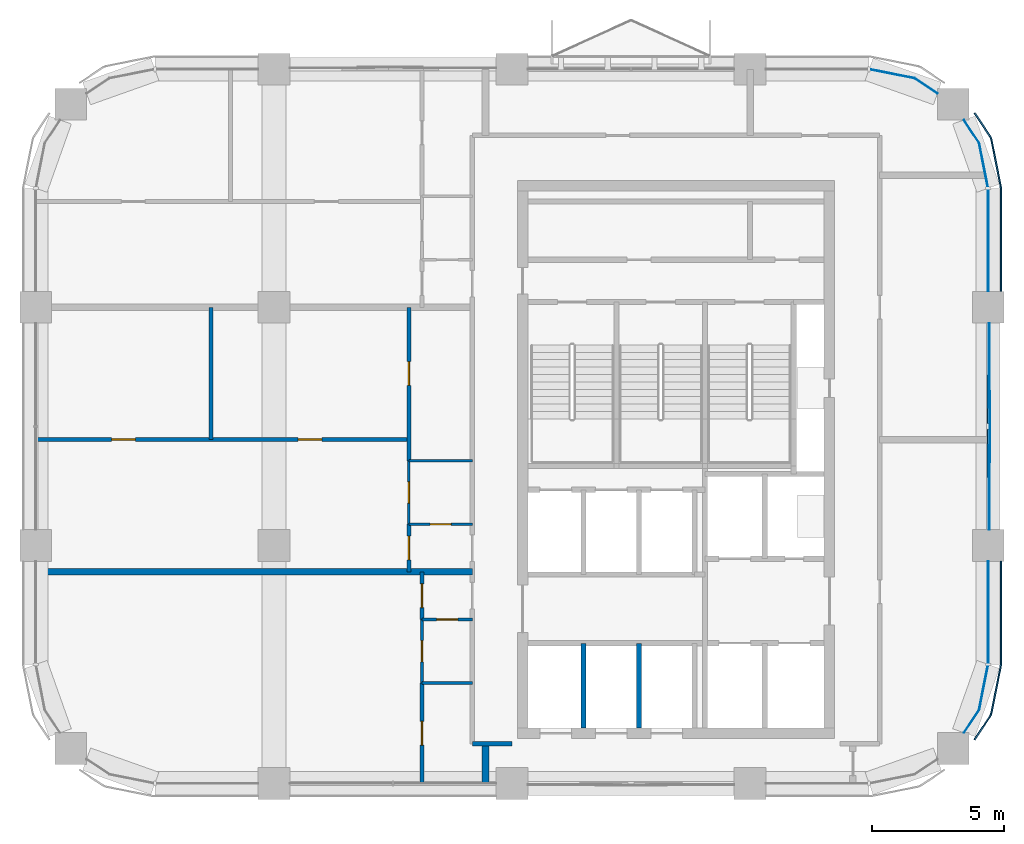
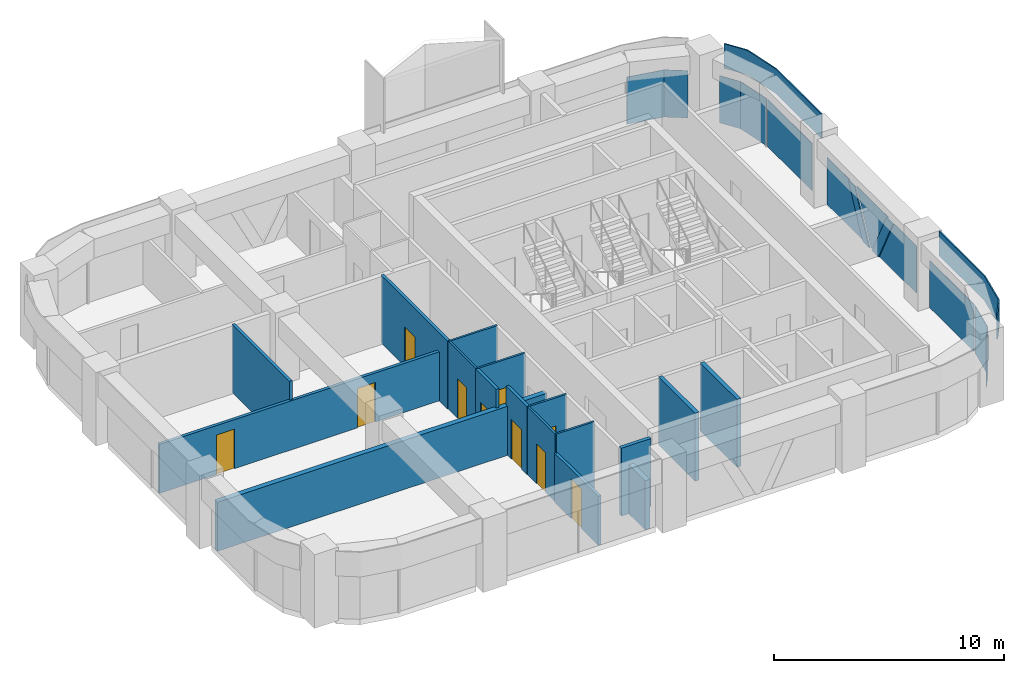
# One storey, part 6 of 10: 17 walls, 12 plates, 10 doors, 10 openings, 4 elements without a shape of their own.
"""IFC4 building model written with IfcOpenShell, lengths in metres."""

from ifc_helpers import new_model, si_unit, direction, frame, frame_2d, origin, origin_2d, place, context, subcontext, project, spatial, polyline, rectangle, outline, extrude, material, layer, layer_set, type_object, element, fill, aggregate, save


model = new_model("IFC4")

# Units and contexts
model_context = context("Model", 3, precision=1e-05, world=origin(), true_north=direction((0.0, 1.0)))
body_context = subcontext(model_context, "Body", "Model", "MODEL_VIEW")
ifc_project = project(units=[si_unit("LENGTHUNIT", "METRE"), si_unit("AREAUNIT", "SQUARE_METRE"), si_unit("VOLUMEUNIT", "CUBIC_METRE"), si_unit("PLANEANGLEUNIT", "RADIAN"), si_unit("MASSUNIT", "GRAM", prefix="KILO")], contexts=[model_context])

# Site, building, storey
site_placement = place(None, origin())
site = spatial("IfcSite", under=ifc_project, at=site_placement, CompositionType="ELEMENT")
building_placement = place(site_placement, origin())
building = spatial("IfcBuilding", under=site, at=building_placement, Name="Tessera Arch", CompositionType="ELEMENT")
storey_placement = place(building_placement, frame((0.0, 0.0, 242.300048828125)))
storey = spatial("IfcBuildingStorey", under=building, at=storey_placement, Name="L58", CompositionType="ELEMENT", Elevation=242.300048828125)

# Curtain wall, plates
ifc_material_1 = material(Name="CW2 curtain wall")
curtain_wall_type_1 = type_object("IfcCurtainWallType", Name="CW2 curtain wall", PredefinedType="NOTDEFINED", material=ifc_material_1)
curtain_wall_1_placement = place(storey_placement, origin())
curtain_wall_1 = element("IfcCurtainWall", 1, at=curtain_wall_1_placement, inside=storey, type_object=curtain_wall_type_1, Name="CW2 curtain wall E54.27/1 L58", PredefinedType="NOTDEFINED")
ifc_material_2 = material(Name="Clear low-e glass", Category="glass")
ifc_material_3 = material(Name="Clear low-e glass", Category="glass")
ifc_layer_1 = layer(ifc_material_3, 0.028076171875)
ifc_layer_set_1 = layer_set([ifc_layer_1], Name="CW2 glass panel")
plate_type_1 = type_object("IfcPlateType", Name="CW2 glass panel", PredefinedType="CURTAIN_PANEL", material=ifc_layer_set_1)
plate_1_placement = place(storey_placement, frame((54.0, 47.530029296875, 0.0), z_axis=(0.0, 0.0, 1.0), x_axis=(0.0, 1.0, 0.0)))
plate_1 = element("IfcPlate", 2, at=plate_1_placement, type_object=plate_type_1, material=ifc_material_2, Name="CW2 glass panel E54.27/1 1.1", PredefinedType="CURTAIN_PANEL", context=body_context, shape_type="SweptSolid", body=[
    extrude(rectangle(XDim=3.860107421875, YDim=0.028076171875, at=origin_2d()), origin(), (0.0, 0.0, 1.0), 2.5),
])
plate_2_placement = place(storey_placement, origin())
plate_2 = element("IfcPlate", 3, at=plate_2_placement, type_object=plate_type_1, material=ifc_material_2, Name="CW2 curved glass panel E54.27/1 2.1", PredefinedType="CURTAIN_PANEL", context=body_context, shape_type="SweptSolid", body=[
    extrude(outline(polyline([(53.644287109375, 51.216552734375), (53.978515625, 49.53662109375), (54.005859375, 49.5419921875), (53.670654296875, 51.2275390625), (53.094482421875, 52.08984375), (53.0712890625, 52.07421875), (53.644287109375, 51.216552734375)])), origin(), (0.0, 0.0, 1.0), 2.5),
])

# Curtain wall, plate
curtain_wall_2_placement = place(storey_placement, origin())
curtain_wall_2 = element("IfcCurtainWall", 4, at=curtain_wall_2_placement, inside=storey, type_object=curtain_wall_type_1, Name="CW2 curtain wall N54.18/0 L58", PredefinedType="NOTDEFINED")
plate_3_placement = place(storey_placement, origin())
plate_3 = element("IfcPlate", 5, at=plate_3_placement, type_object=plate_type_1, material=ifc_material_2, Name="CW2 curved glass panel N54.18/0 2.1", PredefinedType="CURTAIN_PANEL", context=body_context, shape_type="SweptSolid", body=[
    extrude(outline(polyline([(51.216552734375, 53.644287109375), (52.07421875, 53.0712890625), (52.08984375, 53.094482421875), (51.2275390625, 53.670654296875), (49.5419921875, 54.005859375), (49.53662109375, 53.978515625), (51.216552734375, 53.644287109375)])), origin(), (0.0, 0.0, 1.0), 2.5),
])
aggregate(curtain_wall_2, [plate_3])

# Curtain wall, plates
curtain_wall_3_placement = place(storey_placement, origin())
curtain_wall_3 = element("IfcCurtainWall", 6, at=curtain_wall_3_placement, inside=storey, type_object=curtain_wall_type_1, Name="CW2 curtain wall E54.27/2 L58", PredefinedType="NOTDEFINED")
plate_4_placement = place(storey_placement, frame((54.0, 33.469970703125, 0.0), z_axis=(0.0, 0.0, 1.0), x_axis=(0.0, 1.0, 0.0)))
plate_4 = element("IfcPlate", 7, at=plate_4_placement, type_object=plate_type_1, material=ifc_material_2, Name="CW2 glass panel E54.27/2 1.1", PredefinedType="CURTAIN_PANEL", context=body_context, shape_type="SweptSolid", body=[
    extrude(rectangle(XDim=3.860107421875, YDim=0.028076171875, at=origin_2d()), origin(), (0.0, 0.0, 1.0), 2.5),
])
plate_5_placement = place(storey_placement, origin())
plate_5 = element("IfcPlate", 8, at=plate_5_placement, type_object=plate_type_1, material=ifc_material_2, Name="CW2 curved glass panel E54.27/2 2.1", PredefinedType="CURTAIN_PANEL", context=body_context, shape_type="SweptSolid", body=[
    extrude(outline(polyline([(53.644287109375, 29.783447265625), (53.0712890625, 28.92578125), (53.094482421875, 28.91015625), (53.670654296875, 29.7724609375), (54.005859375, 31.4580078125), (53.978515625, 31.46337890625), (53.644287109375, 29.783447265625)])), origin(), (0.0, 0.0, 1.0), 2.5),
])

# Plate
ifc_material_4 = material(Name="Pale anodised aluminium panel", Category="aluminium")
ifc_layer_2 = layer(ifc_material_4, 0.06005859375)
ifc_layer_set_2 = layer_set([ifc_layer_2], Name="CW2 spandrel panel")
plate_type_2 = type_object("IfcPlateType", Name="CW2 spandrel panel", PredefinedType="CURTAIN_PANEL", material=ifc_layer_set_2)
plate_6_placement = place(storey_placement, frame((0.0, 0.0, 2.599853515625)))
plate_6 = element("IfcPlate", 9, at=plate_6_placement, type_object=plate_type_2, Name="CW2 spandrel panel E54.27/1", PredefinedType="CURTAIN_PANEL", context=body_context, shape_type="SweptSolid", body=[
    extrude(outline(polyline([(54.449951171875, 49.499267578125), (54.449951171875, 45.60009765625), (54.510009765625, 45.60009765625), (54.510009765625, 49.500732421875), (54.507568359375, 49.550048828125), (54.500244140625, 49.598876953125), (54.157470703125, 51.322265625), (54.1455078125, 51.3701171875), (54.128662109375, 51.417236328125), (54.107421875, 51.462646484375), (54.08203125, 51.5048828125), (53.5068359375, 52.365234375), (53.45703125, 52.33203125), (54.03125, 51.47265625), (54.054443359375, 51.434326171875), (54.0732421875, 51.394287109375), (54.088134765625, 51.352783203125), (54.09912109375, 51.30908203125), (54.441162109375, 49.588623046875), (54.44775390625, 49.544189453125), (54.449951171875, 49.499267578125)])), origin(), (0.0, 0.0, 1.0), 1.300048828125),
])

aggregate(curtain_wall_1, [plate_1, plate_2, plate_6])

plate_7_placement = place(storey_placement, frame((0.0, 0.0, 2.599853515625)))
plate_7 = element("IfcPlate", 10, at=plate_7_placement, type_object=plate_type_2, Name="CW2 spandrel panel E54.27/2", PredefinedType="CURTAIN_PANEL", context=body_context, shape_type="SweptSolid", body=[
    extrude(outline(polyline([(54.03125, 29.52734375), (53.45703125, 28.66796875), (53.5068359375, 28.634765625), (54.08203125, 29.4951171875), (54.107421875, 29.537353515625), (54.128662109375, 29.582763671875), (54.1455078125, 29.6298828125), (54.157470703125, 29.677734375), (54.500244140625, 31.401123046875), (54.507568359375, 31.449951171875), (54.510009765625, 31.499267578125), (54.510009765625, 35.39990234375), (54.449951171875, 35.39990234375), (54.449951171875, 31.500732421875), (54.44775390625, 31.455810546875), (54.441162109375, 31.411376953125), (54.09912109375, 29.69091796875), (54.088134765625, 29.647216796875), (54.0732421875, 29.605712890625), (54.054443359375, 29.565673828125), (54.03125, 29.52734375)])), origin(), (0.0, 0.0, 1.0), 1.300048828125),
])

aggregate(curtain_wall_3, [plate_4, plate_5, plate_7])

# Curtain wall, plates
ifc_material_5 = material(Name="CW3 curtain wall")
curtain_wall_type_2 = type_object("IfcCurtainWallType", Name="CW3 curtain wall", PredefinedType="NOTDEFINED", material=ifc_material_5)
curtain_wall_4_placement = place(storey_placement, origin())
curtain_wall_4 = element("IfcCurtainWall", 11, at=curtain_wall_4_placement, inside=storey, type_object=curtain_wall_type_2, Name="CW3 curtain wall E54.27/0 L58", PredefinedType="NOTDEFINED")
ifc_material_6 = material(Name="Pale anodised aluminium panel", Category="aluminium")
ifc_layer_3 = layer(ifc_material_6, 0.06005859375)
ifc_layer_set_3 = layer_set([ifc_layer_3], Name="CW3 diagonal panel")
plate_type_3 = type_object("IfcPlateType", Name="CW3 diagonal panel", PredefinedType="CURTAIN_PANEL", material=ifc_layer_set_3)
plate_8_placement = place(storey_placement, frame((54.030029296875, 42.432373046875, 2.5), z_axis=(1.0, 0.0, 0.0), x_axis=(0.0, -1.0, 0.0)))
plate_8 = element("IfcPlate", 12, at=plate_8_placement, type_object=plate_type_3, Name="CW3 diagonal panel E54.27/0 1", PredefinedType="CURTAIN_PANEL", context=body_context, shape_type="SweptSolid", body=[
    extrude(outline(polyline([(0.0, 0.0), (0.564697265625, 0.0), (1.814697265625, 2.5), (1.25, 2.5), (0.0, 0.0)])), origin(), (0.0, 0.0, -1.0), 0.06005859375),
])
plate_9_placement = place(storey_placement, frame((54.030029296875, 39.13232421875, 2.5), z_axis=(1.0, 0.0, 0.0), x_axis=(0.0, -1.0, 0.0)))
plate_9 = element("IfcPlate", 13, at=plate_9_placement, type_object=plate_type_3, Name="CW3 diagonal panel E54.27/0 2", PredefinedType="CURTAIN_PANEL", context=body_context, shape_type="SweptSolid", body=[
    extrude(outline(polyline([(0.0, 0.0), (0.564697265625, 0.0), (-0.685302734375, 2.5), (-1.25, 2.5), (0.0, 0.0)])), origin(), (0.0, 0.0, -1.0), 0.06005859375),
])
ifc_material_7 = material(Name="Clear low-e glass", Category="glass")
ifc_layer_4 = layer(ifc_material_7, 0.028076171875)
ifc_layer_set_4 = layer_set([ifc_layer_4], Name="CW3 glass panel")
plate_type_4 = type_object("IfcPlateType", Name="CW3 glass panel", PredefinedType="CURTAIN_PANEL", material=ifc_layer_set_4)
plate_10_placement = place(storey_placement, frame((54.05810546875, 36.60009765625, 0.0), z_axis=(1.0, 0.0, 0.0), x_axis=(0.0, 1.0, 0.0)))
plate_10 = element("IfcPlate", 14, at=plate_10_placement, type_object=plate_type_4, material=ifc_material_2, Name="CW3 triangulated glass panel E54.27/0 1", PredefinedType="CURTAIN_PANEL", context=body_context, shape_type="SweptSolid", body=[
    extrude(outline(polyline([(0.0, 0.0), (3.217529296875, 0.0), (1.967529296875, 2.5), (0.0, 2.5), (0.0, 0.0)])), origin(), (0.0, 0.0, -1.0), 0.028076171875),
])
plate_11_placement = place(storey_placement, frame((54.0859375, 41.86767578125, 2.5), z_axis=(1.0, 0.0, 0.0), x_axis=(0.0, -1.0, 0.0)))
plate_11 = element("IfcPlate", 15, at=plate_11_placement, type_object=plate_type_4, material=ifc_material_2, Name="CW3 triangulated glass panel E54.27/0 2", PredefinedType="CURTAIN_PANEL", context=body_context, shape_type="SweptSolid", body=[
    extrude(outline(polyline([(0.0, 0.0), (2.7353515625, 0.0), (1.4853515625, 2.5), (1.25, 2.5), (0.0, 0.0)])), origin(), (0.0, 0.0, -1.0), 0.028076171875),
])
plate_12_placement = place(storey_placement, frame((54.05810546875, 44.39990234375, 2.5), z_axis=(1.0, 0.0, 0.0), x_axis=(0.0, -1.0, 0.0)))
plate_12 = element("IfcPlate", 16, at=plate_12_placement, type_object=plate_type_4, material=ifc_material_2, Name="CW3 triangulated glass panel E54.27/0 3", PredefinedType="CURTAIN_PANEL", context=body_context, shape_type="SweptSolid", body=[
    extrude(outline(polyline([(0.0, 0.0), (1.967529296875, 0.0), (3.217529296875, 2.5), (0.0, 2.5), (0.0, 0.0)])), origin(), (0.0, 0.0, -1.0), 0.028076171875),
])
aggregate(curtain_wall_4, [plate_10, plate_11, plate_12, plate_8, plate_9])

# Wall
ifc_material_8 = material(Name="Gypsum board on deep steel stud with mineral wool", Category="steel")
ifc_layer_5 = layer(ifc_material_8, 0.175048828125)
ifc_layer_set_5 = layer_set([ifc_layer_5], Name="Corridor wall 175 EI 60")
wall_type_1 = type_object("IfcWallType", Name="Corridor wall 175 EI 60", PredefinedType="PARTITIONING", material=ifc_layer_set_5)
wall_1_placement = place(storey_placement, frame((34.5, 28.5, 0.0), z_axis=(0.0, 0.0, 1.0), x_axis=(1.0, 0.0, 0.0)))
element("IfcWall", 17, at=wall_1_placement, inside=storey, type_object=wall_type_1, Name="L58 partition 1", PredefinedType="PARTITIONING", context=body_context, shape_type="SweptSolid", body=[
    extrude(rectangle(XDim=1.5, YDim=0.175048828125, at=frame_2d((0.75, 0.0))), origin(), (0.0, 0.0, 1.0), 3.599853515625),
])

# Wall, openings, doors
ifc_material_9 = material(Name="Gypsum board on steel stud", Category="steel")
ifc_layer_6 = layer(ifc_material_9, 0.14990234375)
ifc_layer_set_6 = layer_set([ifc_layer_6], Name="Partition 150")
wall_type_2 = type_object("IfcWallType", Name="Partition 150", PredefinedType="PARTITIONING", material=ifc_layer_set_6)
wall_2_placement = place(storey_placement, frame((18.0, 40.0, 0.0), z_axis=(0.0, 0.0, 1.0), x_axis=(1.0, 0.0, 0.0)))
wall_2 = element("IfcWall", 18, at=wall_2_placement, inside=storey, type_object=wall_type_2, Name="L58 partition 6", PredefinedType="PARTITIONING", context=body_context, shape_type="SweptSolid", body=[
    extrude(rectangle(XDim=14.10009765625, YDim=0.14990234375, at=frame_2d((7.050048828125, 0.0))), origin(), (0.0, 0.0, 1.0), 2.599853515625),
])
opening_1_placement = place(wall_2_placement, frame((9.91357421875, 0.0, 0.0)))
opening_1 = element("IfcOpeningElement", 19, at=opening_1_placement, cuts=wall_2, Name="Opening L58-D012", PredefinedType="OPENING", context=body_context, shape_type="SweptSolid", body=[
    extrude(rectangle(XDim=0.89990234375, YDim=2.10009765625, at=frame_2d((0.449951171875, 1.050048828125))), frame((0.0, 0.0849609375, 0.0), z_axis=(0.0, -1.0, 0.0), x_axis=(1.0, 0.0, 0.0)), (0.0, 0.0, 1.0), 0.169921875),
])
opening_2_placement = place(wall_2_placement, frame((2.863525390625, 0.0, 0.0)))
opening_2 = element("IfcOpeningElement", 20, at=opening_2_placement, cuts=wall_2, Name="Opening L58-D013", PredefinedType="OPENING", context=body_context, shape_type="SweptSolid", body=[
    extrude(rectangle(XDim=0.89990234375, YDim=2.10009765625, at=frame_2d((0.449951171875, 1.050048828125))), frame((0.0, 0.0849609375, 0.0), z_axis=(0.0, -1.0, 0.0), x_axis=(1.0, 0.0, 0.0)), (0.0, 0.0, 1.0), 0.169921875),
])
ifc_material_10 = material(Name="Timber door leaf", Category="wood")
door_type_1 = type_object("IfcDoorType", Name="Room door 900 x 2100", OperationType="SINGLE_SWING_LEFT", PredefinedType="DOOR", material=ifc_material_10)
door_1_placement = place(opening_1_placement, origin())
door_1 = element("IfcDoor", 21, at=door_1_placement, inside=storey, type_object=door_type_1, Name="L58 door D012 type D01", OperationType="SINGLE_SWING_RIGHT", OverallHeight=2.10009765625, OverallWidth=0.89990234375, PredefinedType="DOOR", context=body_context, shape_type="SweptSolid", body=[
    extrude(rectangle(XDim=0.89990234375, YDim=2.10009765625, at=frame_2d((0.449951171875, 1.050048828125))), frame((0.0, 0.02490234375, 0.0), z_axis=(0.0, -1.0, 0.0), x_axis=(1.0, 0.0, 0.0)), (0.0, 0.0, 1.0), 0.050048828125),
])
fill(opening_1, door_1)
door_2_placement = place(opening_2_placement, origin())
door_2 = element("IfcDoor", 22, at=door_2_placement, inside=storey, type_object=door_type_1, Name="L58 door D013 type D01", OperationType="SINGLE_SWING_RIGHT", OverallHeight=2.10009765625, OverallWidth=0.89990234375, PredefinedType="DOOR", context=body_context, shape_type="SweptSolid", body=[
    extrude(rectangle(XDim=0.89990234375, YDim=2.10009765625, at=frame_2d((0.449951171875, 1.050048828125))), frame((0.0, 0.02490234375, 0.0), z_axis=(0.0, -1.0, 0.0), x_axis=(1.0, 0.0, 0.0)), (0.0, 0.0, 1.0), 0.050048828125),
])
fill(opening_2, door_2)

# Wall
wall_3_placement = place(storey_placement, frame((24.626953125, 40.0, 0.0), z_axis=(0.0, 0.0, 1.0), x_axis=(0.0, 1.0, 0.0)))
element("IfcWall", 23, at=wall_3_placement, inside=storey, type_object=wall_type_2, Name="L58 partition 8", PredefinedType="PARTITIONING", context=body_context, shape_type="SweptSolid", body=[
    extrude(rectangle(XDim=5.0, YDim=0.14990234375, at=frame_2d((2.5, 0.0))), origin(), (0.0, 0.0, 1.0), 3.599853515625),
])

# Wall, opening, door
wall_4_placement = place(storey_placement, frame((32.10009765625, 35.0, 0.0), z_axis=(0.0, 0.0, 1.0), x_axis=(0.0, 1.0, 0.0)))
wall_4 = element("IfcWall", 24, at=wall_4_placement, inside=storey, type_object=wall_type_2, Name="L58 partition 10", PredefinedType="PARTITIONING", context=body_context, shape_type="SweptSolid", body=[
    extrude(rectangle(XDim=1.800048828125, YDim=0.14990234375, at=frame_2d((0.89990234375, 0.0))), origin(), (0.0, 0.0, 1.0), 3.599853515625),
])
opening_3_placement = place(wall_4_placement, frame((0.449951171875, 0.0, 0.0)))
opening_3 = element("IfcOpeningElement", 25, at=opening_3_placement, cuts=wall_4, Name="Opening L58-D008", PredefinedType="OPENING", context=body_context, shape_type="SweptSolid", body=[
    extrude(rectangle(XDim=0.89990234375, YDim=2.10009765625, at=frame_2d((0.449951171875, 1.050048828125))), frame((0.0, 0.0849609375, 0.0), z_axis=(0.0, -1.0, 0.0), x_axis=(1.0, 0.0, 0.0)), (0.0, 0.0, 1.0), 0.169921875),
])
door_3_placement = place(opening_3_placement, origin())
door_3 = element("IfcDoor", 26, at=door_3_placement, inside=storey, type_object=door_type_1, Name="L58 door D008 type D01", OperationType="SINGLE_SWING_LEFT", OverallHeight=2.10009765625, OverallWidth=0.89990234375, PredefinedType="DOOR", context=body_context, shape_type="SweptSolid", body=[
    extrude(rectangle(XDim=0.89990234375, YDim=2.10009765625, at=frame_2d((0.449951171875, 1.050048828125))), frame((0.0, 0.02490234375, 0.0), z_axis=(0.0, -1.0, 0.0), x_axis=(1.0, 0.0, 0.0)), (0.0, 0.0, 1.0), 0.050048828125),
])
fill(opening_3, door_3)

wall_5_placement = place(storey_placement, frame((32.10009765625, 39.199951171875, 0.0), z_axis=(0.0, 0.0, 1.0), x_axis=(0.0, 1.0, 0.0)))
wall_5 = element("IfcWall", 27, at=wall_5_placement, inside=storey, type_object=wall_type_2, Name="L58 partition 11", PredefinedType="PARTITIONING", context=body_context, shape_type="SweptSolid", body=[
    extrude(rectangle(XDim=5.800048828125, YDim=0.14990234375, at=frame_2d((2.89990234375, 0.0))), origin(), (0.0, 0.0, 1.0), 3.599853515625),
])
opening_4_placement = place(wall_5_placement, frame((2.85009765625, 0.0, 0.0)))
opening_4 = element("IfcOpeningElement", 28, at=opening_4_placement, cuts=wall_5, Name="Opening L58-D011", PredefinedType="OPENING", context=body_context, shape_type="SweptSolid", body=[
    extrude(rectangle(XDim=0.89990234375, YDim=2.10009765625, at=frame_2d((0.449951171875, 1.050048828125))), frame((0.0, 0.0849609375, 0.0), z_axis=(0.0, -1.0, 0.0), x_axis=(1.0, 0.0, 0.0)), (0.0, 0.0, 1.0), 0.169921875),
])
door_4_placement = place(opening_4_placement, origin())
door_4 = element("IfcDoor", 29, at=door_4_placement, inside=storey, type_object=door_type_1, Name="L58 door D011 type D01", OperationType="SINGLE_SWING_LEFT", OverallHeight=2.10009765625, OverallWidth=0.89990234375, PredefinedType="DOOR", context=body_context, shape_type="SweptSolid", body=[
    extrude(rectangle(XDim=0.89990234375, YDim=2.10009765625, at=frame_2d((0.449951171875, 1.050048828125))), frame((0.0, 0.02490234375, 0.0), z_axis=(0.0, -1.0, 0.0), x_axis=(1.0, 0.0, 0.0)), (0.0, 0.0, 1.0), 0.050048828125),
])
fill(opening_4, door_4)

wall_6_placement = place(storey_placement, frame((32.60009765625, 27.0, 0.0), z_axis=(0.0, 0.0, 1.0), x_axis=(0.0, 1.0, 0.0)))
wall_6 = element("IfcWall", 30, at=wall_6_placement, inside=storey, type_object=wall_type_2, Name="L58 partition 12", PredefinedType="PARTITIONING", context=body_context, shape_type="SweptSolid", body=[
    extrude(rectangle(XDim=3.800048828125, YDim=0.14990234375, at=frame_2d((1.89990234375, 0.0))), origin(), (0.0, 0.0, 1.0), 2.599853515625),
])
opening_5_placement = place(wall_6_placement, frame((1.449951171875, 0.0, 0.0)))
opening_5 = element("IfcOpeningElement", 31, at=opening_5_placement, cuts=wall_6, Name="Opening L58-D005", PredefinedType="OPENING", context=body_context, shape_type="SweptSolid", body=[
    extrude(rectangle(XDim=0.89990234375, YDim=2.10009765625, at=frame_2d((0.449951171875, 1.050048828125))), frame((0.0, 0.0849609375, 0.0), z_axis=(0.0, -1.0, 0.0), x_axis=(1.0, 0.0, 0.0)), (0.0, 0.0, 1.0), 0.169921875),
])
door_5_placement = place(opening_5_placement, origin())
door_5 = element("IfcDoor", 32, at=door_5_placement, inside=storey, type_object=door_type_1, Name="L58 door D005 type D01", OperationType="SINGLE_SWING_LEFT", OverallHeight=2.10009765625, OverallWidth=0.89990234375, PredefinedType="DOOR", context=body_context, shape_type="SweptSolid", body=[
    extrude(rectangle(XDim=0.89990234375, YDim=2.10009765625, at=frame_2d((0.449951171875, 1.050048828125))), frame((0.0, 0.02490234375, 0.0), z_axis=(0.0, -1.0, 0.0), x_axis=(1.0, 0.0, 0.0)), (0.0, 0.0, 1.0), 0.050048828125),
])
fill(opening_5, door_5)

wall_7_placement = place(storey_placement, frame((32.60009765625, 33.199951171875, 0.0), z_axis=(0.0, 0.0, 1.0), x_axis=(0.0, 1.0, 0.0)))
wall_7 = element("IfcWall", 33, at=wall_7_placement, inside=storey, type_object=wall_type_2, Name="L58 partition 13", PredefinedType="PARTITIONING", context=body_context, shape_type="SweptSolid", body=[
    extrude(rectangle(XDim=1.800048828125, YDim=0.14990234375, at=frame_2d((0.89990234375, 0.0))), origin(), (0.0, 0.0, 1.0), 3.599853515625),
])
opening_6_placement = place(wall_7_placement, frame((0.449951171875, 0.0, 0.0)))
opening_6 = element("IfcOpeningElement", 34, at=opening_6_placement, cuts=wall_7, Name="Opening L58-D002", PredefinedType="OPENING", context=body_context, shape_type="SweptSolid", body=[
    extrude(rectangle(XDim=0.89990234375, YDim=2.10009765625, at=frame_2d((0.449951171875, 1.050048828125))), frame((0.0, 0.0849609375, 0.0), z_axis=(0.0, -1.0, 0.0), x_axis=(1.0, 0.0, 0.0)), (0.0, 0.0, 1.0), 0.169921875),
])
door_6_placement = place(opening_6_placement, origin())
door_6 = element("IfcDoor", 35, at=door_6_placement, inside=storey, type_object=door_type_1, Name="L58 door D002 type D01", OperationType="SINGLE_SWING_LEFT", OverallHeight=2.10009765625, OverallWidth=0.89990234375, PredefinedType="DOOR", context=body_context, shape_type="SweptSolid", body=[
    extrude(rectangle(XDim=0.89990234375, YDim=2.10009765625, at=frame_2d((0.449951171875, 1.050048828125))), frame((0.0, 0.02490234375, 0.0), z_axis=(0.0, -1.0, 0.0), x_axis=(1.0, 0.0, 0.0)), (0.0, 0.0, 1.0), 0.050048828125),
])
fill(opening_6, door_6)

# Walls
ifc_material_11 = material(Name="Double gypsum board on twin steel stud with acoustic mineral wool", Category="steel")
ifc_layer_7 = layer(ifc_material_11, 0.25)
ifc_layer_set_7 = layer_set([ifc_layer_7], Name="Party wall 250 EI 60")
wall_type_3 = type_object("IfcWallType", Name="Party wall 250 EI 60", PredefinedType="PARTITIONING", material=ifc_layer_set_7)
wall_8_placement = place(storey_placement, frame((18.0, 35.0, 0.0), z_axis=(0.0, 0.0, 1.0), x_axis=(1.0, 0.0, 0.0)))
element("IfcWall", 36, at=wall_8_placement, inside=storey, type_object=wall_type_3, Name="L58 partition 16", PredefinedType="PARTITIONING", context=body_context, shape_type="SweptSolid", body=[
    extrude(rectangle(XDim=16.5, YDim=0.25, at=frame_2d((8.25, 0.0))), origin(), (0.0, 0.0, 1.0), 2.599853515625),
])
wall_9_placement = place(storey_placement, frame((35.0, 27.0, 0.0), z_axis=(0.0, 0.0, 1.0), x_axis=(0.0, 1.0, 0.0)))
element("IfcWall", 37, at=wall_9_placement, inside=storey, type_object=wall_type_3, Name="L58 partition 20", PredefinedType="PARTITIONING", context=body_context, shape_type="SweptSolid", body=[
    extrude(rectangle(XDim=1.5, YDim=0.25, at=frame_2d((0.75, 0.0))), origin(), (0.0, 0.0, 1.0), 2.599853515625),
])
ifc_material_12 = material(Name="Concrete C40/50", Category="concrete")
ifc_layer_8 = layer(ifc_material_12, 0.199951171875)
ifc_layer_set_8 = layer_set([ifc_layer_8], Name="Shaft wall 200 EI 120")
wall_type_4 = type_object("IfcWallType", Name="Shaft wall 200 EI 120", PredefinedType="SOLIDWALL", material=ifc_layer_set_8)
for number, where, z_axis, x_axis, name in (
    (38, (38.699951171875, 29.10009765625, 0.0), (0.0, 0.0, 1.0), (0.0, 1.0, 0.0), "L58 C1 shaft wall 1"),
    (39, (40.800048828125, 29.10009765625, 0.0), (0.0, 0.0, 1.0), (0.0, 1.0, 0.0), "L58 C1 shaft wall 5"),
):
    element("IfcWall", number, at=place(storey_placement, frame(where, z_axis=z_axis, x_axis=x_axis)), inside=storey, type_object=wall_type_4, Name=name, PredefinedType="SOLIDWALL", context=body_context, shape_type="SweptSolid", body=[
        extrude(rectangle(XDim=3.199951171875, YDim=0.199951171875, at=frame_2d((1.60009765625, 0.0))), origin(), (0.0, 0.0, 1.0), 3.599853515625),
    ])
ifc_material_13 = material(Name="Moisture-resistant board on pre-plumbed steel stud", Category="steel")
ifc_layer_9 = layer(ifc_material_13, 0.10009765625)
ifc_layer_set_9 = layer_set([ifc_layer_9], Name="Wet wall 100")
wall_type_5 = type_object("IfcWallType", Name="Wet wall 100", PredefinedType="PARTITIONING", material=ifc_layer_set_9)
wall_10_placement = place(storey_placement, frame((32.60009765625, 30.800048828125, 0.0), z_axis=(0.0, 0.0, 1.0), x_axis=(1.0, 0.0, 0.0)))
element("IfcWall", 40, at=wall_10_placement, inside=storey, type_object=wall_type_5, Name="L58 partition 24", PredefinedType="PARTITIONING", context=body_context, shape_type="SweptSolid", body=[
    extrude(rectangle(XDim=1.89990234375, YDim=0.10009765625, at=frame_2d((0.949951171875, 0.0))), origin(), (0.0, 0.0, 1.0), 3.599853515625),
])

# Wall, opening, door
wall_11_placement = place(storey_placement, frame((32.60009765625, 33.199951171875, 0.0), z_axis=(0.0, 0.0, 1.0), x_axis=(1.0, 0.0, 0.0)))
wall_11 = element("IfcWall", 41, at=wall_11_placement, inside=storey, type_object=wall_type_5, Name="L58 partition 25", PredefinedType="PARTITIONING", context=body_context, shape_type="SweptSolid", body=[
    extrude(rectangle(XDim=1.89990234375, YDim=0.10009765625, at=frame_2d((0.949951171875, 0.0))), origin(), (0.0, 0.0, 1.0), 3.599853515625),
])
opening_7_placement = place(wall_11_placement, frame((0.550048828125, 0.0, 0.0)))
opening_7 = element("IfcOpeningElement", 42, at=opening_7_placement, cuts=wall_11, Name="Opening L58-D003", PredefinedType="OPENING", context=body_context, shape_type="SweptSolid", body=[
    extrude(rectangle(XDim=0.800048828125, YDim=2.10009765625, at=frame_2d((0.39990234375, 1.050048828125))), frame((0.0, 0.06005859375, 0.0), z_axis=(0.0, -1.0, 0.0), x_axis=(1.0, 0.0, 0.0)), (0.0, 0.0, 1.0), 0.1201171875),
])
ifc_material_14 = material(Name="Timber door leaf", Category="wood")
door_type_2 = type_object("IfcDoorType", Name="En-suite door 800 x 2100", OperationType="SINGLE_SWING_LEFT", PredefinedType="DOOR", material=ifc_material_14)
door_7_placement = place(opening_7_placement, origin())
door_7 = element("IfcDoor", 43, at=door_7_placement, inside=storey, type_object=door_type_2, Name="L58 door D003 type D02", OperationType="SINGLE_SWING_LEFT", OverallHeight=2.10009765625, OverallWidth=0.800048828125, PredefinedType="DOOR", context=body_context, shape_type="SweptSolid", body=[
    extrude(rectangle(XDim=0.800048828125, YDim=2.10009765625, at=frame_2d((0.39990234375, 1.050048828125))), frame((0.0, 0.02490234375, 0.0), z_axis=(0.0, -1.0, 0.0), x_axis=(1.0, 0.0, 0.0)), (0.0, 0.0, 1.0), 0.050048828125),
])
fill(opening_7, door_7)

wall_12_placement = place(storey_placement, frame((32.10009765625, 36.800048828125, 0.0), z_axis=(0.0, 0.0, 1.0), x_axis=(1.0, 0.0, 0.0)))
wall_12 = element("IfcWall", 44, at=wall_12_placement, inside=storey, type_object=wall_type_5, Name="L58 partition 26", PredefinedType="PARTITIONING", context=body_context, shape_type="SweptSolid", body=[
    extrude(rectangle(XDim=2.39990234375, YDim=0.10009765625, at=frame_2d((1.199951171875, 0.0))), origin(), (0.0, 0.0, 1.0), 3.599853515625),
])
opening_8_placement = place(wall_12_placement, frame((0.800048828125, 0.0, 0.0)))
opening_8 = element("IfcOpeningElement", 45, at=opening_8_placement, cuts=wall_12, Name="Opening L58-D009", PredefinedType="OPENING", context=body_context, shape_type="SweptSolid", body=[
    extrude(rectangle(XDim=0.800048828125, YDim=2.10009765625, at=frame_2d((0.39990234375, 1.050048828125))), frame((0.0, 0.06005859375, 0.0), z_axis=(0.0, -1.0, 0.0), x_axis=(1.0, 0.0, 0.0)), (0.0, 0.0, 1.0), 0.1201171875),
])
door_8_placement = place(opening_8_placement, origin())
door_8 = element("IfcDoor", 46, at=door_8_placement, inside=storey, type_object=door_type_2, Name="L58 door D009 type D02", OperationType="SINGLE_SWING_RIGHT", OverallHeight=2.10009765625, OverallWidth=0.800048828125, PredefinedType="DOOR", context=body_context, shape_type="SweptSolid", body=[
    extrude(rectangle(XDim=0.800048828125, YDim=2.10009765625, at=frame_2d((0.39990234375, 1.050048828125))), frame((0.0, 0.02490234375, 0.0), z_axis=(0.0, -1.0, 0.0), x_axis=(1.0, 0.0, 0.0)), (0.0, 0.0, 1.0), 0.050048828125),
])
fill(opening_8, door_8)

# Wall
wall_13_placement = place(storey_placement, frame((32.10009765625, 39.199951171875, 0.0), z_axis=(0.0, 0.0, 1.0), x_axis=(1.0, 0.0, 0.0)))
element("IfcWall", 47, at=wall_13_placement, inside=storey, type_object=wall_type_5, Name="L58 partition 27", PredefinedType="PARTITIONING", context=body_context, shape_type="SweptSolid", body=[
    extrude(rectangle(XDim=2.39990234375, YDim=0.10009765625, at=frame_2d((1.199951171875, 0.0))), origin(), (0.0, 0.0, 1.0), 3.599853515625),
])

# Wall, opening, door
wall_14_placement = place(storey_placement, frame((32.10009765625, 36.800048828125, 0.0), z_axis=(0.0, 0.0, 1.0), x_axis=(0.0, 1.0, 0.0)))
wall_14 = element("IfcWall", 48, at=wall_14_placement, inside=storey, type_object=wall_type_5, Name="L58 partition 30", PredefinedType="PARTITIONING", context=body_context, shape_type="SweptSolid", body=[
    extrude(rectangle(XDim=2.39990234375, YDim=0.10009765625, at=frame_2d((1.199951171875, 0.0))), origin(), (0.0, 0.0, 1.0), 3.599853515625),
])
opening_9_placement = place(wall_14_placement, frame((0.800048828125, 0.0, 0.0)))
opening_9 = element("IfcOpeningElement", 49, at=opening_9_placement, cuts=wall_14, Name="Opening L58-D010", PredefinedType="OPENING", context=body_context, shape_type="SweptSolid", body=[
    extrude(rectangle(XDim=0.800048828125, YDim=2.10009765625, at=frame_2d((0.39990234375, 1.050048828125))), frame((0.0, 0.06005859375, 0.0), z_axis=(0.0, -1.0, 0.0), x_axis=(1.0, 0.0, 0.0)), (0.0, 0.0, 1.0), 0.1201171875),
])
door_9_placement = place(opening_9_placement, origin())
door_9 = element("IfcDoor", 50, at=door_9_placement, inside=storey, type_object=door_type_2, Name="L58 door D010 type D02", OperationType="SINGLE_SWING_RIGHT", OverallHeight=2.10009765625, OverallWidth=0.800048828125, PredefinedType="DOOR", context=body_context, shape_type="SweptSolid", body=[
    extrude(rectangle(XDim=0.800048828125, YDim=2.10009765625, at=frame_2d((0.39990234375, 1.050048828125))), frame((0.0, 0.02490234375, 0.0), z_axis=(0.0, -1.0, 0.0), x_axis=(1.0, 0.0, 0.0)), (0.0, 0.0, 1.0), 0.050048828125),
])
fill(opening_9, door_9)

wall_15_placement = place(storey_placement, frame((32.60009765625, 30.800048828125, 0.0), z_axis=(0.0, 0.0, 1.0), x_axis=(0.0, 1.0, 0.0)))
wall_15 = element("IfcWall", 51, at=wall_15_placement, inside=storey, type_object=wall_type_5, Name="L58 partition 31", PredefinedType="PARTITIONING", context=body_context, shape_type="SweptSolid", body=[
    extrude(rectangle(XDim=2.39990234375, YDim=0.10009765625, at=frame_2d((1.199951171875, 0.0))), origin(), (0.0, 0.0, 1.0), 3.599853515625),
])
opening_10_placement = place(wall_15_placement, frame((0.800048828125, 0.0, 0.0)))
opening_10 = element("IfcOpeningElement", 52, at=opening_10_placement, cuts=wall_15, Name="Opening L58-D004", PredefinedType="OPENING", context=body_context, shape_type="SweptSolid", body=[
    extrude(rectangle(XDim=0.800048828125, YDim=2.10009765625, at=frame_2d((0.39990234375, 1.050048828125))), frame((0.0, 0.06005859375, 0.0), z_axis=(0.0, -1.0, 0.0), x_axis=(1.0, 0.0, 0.0)), (0.0, 0.0, 1.0), 0.1201171875),
])
door_10_placement = place(opening_10_placement, origin())
door_10 = element("IfcDoor", 53, at=door_10_placement, inside=storey, type_object=door_type_2, Name="L58 door D004 type D02", OperationType="SINGLE_SWING_RIGHT", OverallHeight=2.10009765625, OverallWidth=0.800048828125, PredefinedType="DOOR", context=body_context, shape_type="SweptSolid", body=[
    extrude(rectangle(XDim=0.800048828125, YDim=2.10009765625, at=frame_2d((0.39990234375, 1.050048828125))), frame((0.0, 0.02490234375, 0.0), z_axis=(0.0, -1.0, 0.0), x_axis=(1.0, 0.0, 0.0)), (0.0, 0.0, 1.0), 0.050048828125),
])
fill(opening_10, door_10)

save(model, "model.ifc")
